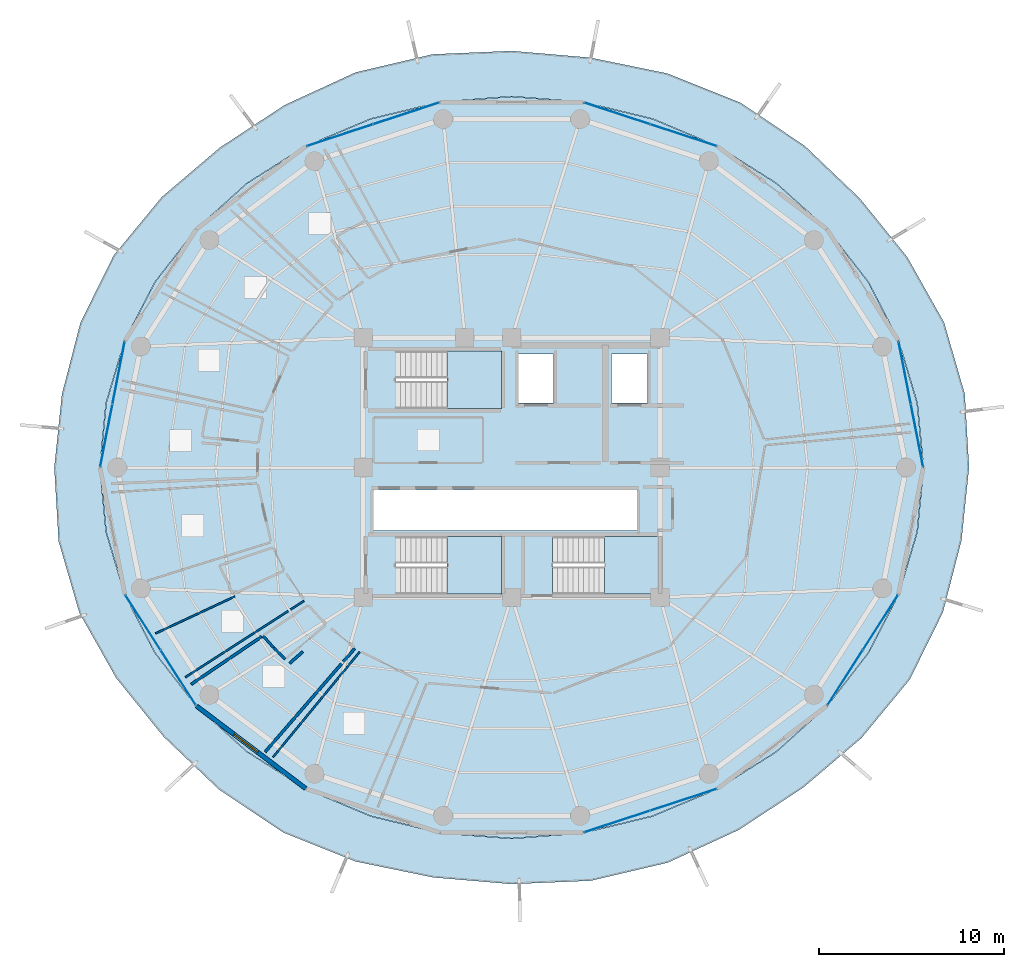
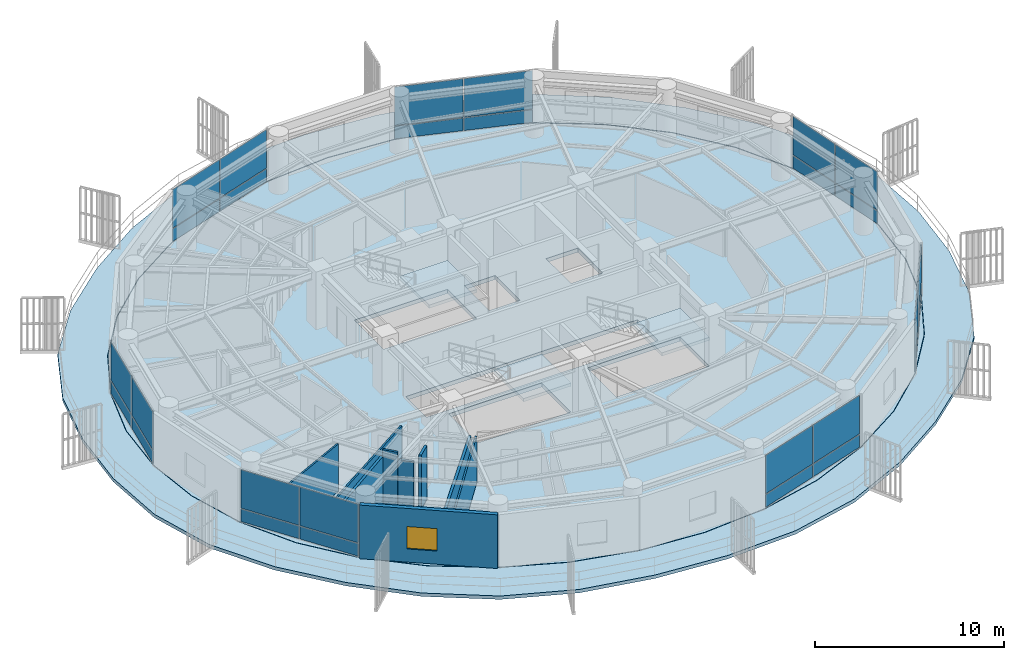
# One storey, part 22 of 30: 28 plates, 9 walls, 5 slabs, 1 window, 1 opening, 10 elements without a shape of their own.
"""IFC4 building model written with IfcOpenShell, lengths in metres."""

from ifc_helpers import new_model, si_unit, direction, frame, frame_2d, origin, origin_2d, place, context, subcontext, project, spatial, polyline, rectangle, outline, extrude, source, transform, mapped, material, layer, layer_set, type_object, element, fill, aggregate, save


model = new_model("IFC4")

# Units and contexts
model_context = context("Model", 3, precision=1e-05, world=origin(), true_north=direction((0.0, 1.0)))
body_context = subcontext(model_context, "Body", "Model", "MODEL_VIEW")
ifc_project = project(units=[si_unit("LENGTHUNIT", "METRE"), si_unit("AREAUNIT", "SQUARE_METRE"), si_unit("VOLUMEUNIT", "CUBIC_METRE"), si_unit("PLANEANGLEUNIT", "RADIAN"), si_unit("MASSUNIT", "GRAM", prefix="KILO")], contexts=[model_context])

# Site, building, storey
site_placement = place(None, origin())
site = spatial("IfcSite", under=ifc_project, at=site_placement, CompositionType="ELEMENT")
building_placement = place(site_placement, origin())
building = spatial("IfcBuilding", under=site, at=building_placement, Name="Kelanora Arch Commons", CompositionType="ELEMENT")
storey_placement = place(building_placement, frame((0.0, 0.0, 234.449951171875)))
storey = spatial("IfcBuildingStorey", under=building, at=storey_placement, Name="L60", CompositionType="ELEMENT", Elevation=234.449951171875)

# Stair, slab
ifc_material_1 = material(Name="Concrete C40/50", Category="concrete")
stair_type = type_object("IfcStairType", Name="STR-DL-375", PredefinedType="HALF_TURN_STAIR", material=ifc_material_1)
stair_1_placement = place(storey_placement, origin())
stair_1 = element("IfcStair", 1, at=stair_1_placement, inside=storey, type_object=stair_type, Name="L60 ST-T1", PredefinedType="HALF_TURN_STAIR")
ifc_layer_1 = layer(ifc_material_1, 0.199951171875)
ifc_layer_set_1 = layer_set([ifc_layer_1], Name="Concrete C40/50")
slab_type_1 = type_object("IfcSlabType", Name="SLB-STAIR-LND", PredefinedType="LANDING", material=ifc_layer_set_1)
slab_1_placement = place(storey_placement, frame((0.0, 0.0, 1.675048828125)))
slab_1 = element("IfcSlab", 2, at=slab_1_placement, type_object=slab_type_1, Name="ST-T1 landing 1", PredefinedType="LANDING", context=body_context, shape_type="SweptSolid", body=[
    extrude(outline(polyline([(70.52001953125, 61.179931640625), (73.43994140625, 61.179931640625), (73.43994140625, 64.2900390625), (70.52001953125, 64.2900390625), (70.52001953125, 61.179931640625)])), origin(), (0.0, 0.0, 1.0), 0.199951171875),
])
aggregate(stair_1, [slab_1])

stair_2_placement = place(storey_placement, origin())
stair_2 = element("IfcStair", 3, at=stair_2_placement, inside=storey, type_object=stair_type, Name="L60 ST-T2", PredefinedType="HALF_TURN_STAIR")
slab_2_placement = place(storey_placement, frame((0.0, 0.0, 1.675048828125)))
slab_2 = element("IfcSlab", 4, at=slab_2_placement, type_object=slab_type_1, Name="ST-T2 landing 1", PredefinedType="LANDING", context=body_context, shape_type="SweptSolid", body=[
    extrude(outline(polyline([(79.0, 51.179931640625), (81.919921875, 51.179931640625), (81.919921875, 54.2900390625), (79.0, 54.2900390625), (79.0, 51.179931640625)])), origin(), (0.0, 0.0, 1.0), 0.199951171875),
])
aggregate(stair_2, [slab_2])

stair_3_placement = place(storey_placement, origin())
stair_3 = element("IfcStair", 5, at=stair_3_placement, inside=storey, type_object=stair_type, Name="L60 ST-T3", PredefinedType="HALF_TURN_STAIR")
slab_3_placement = place(storey_placement, frame((0.0, 0.0, 1.675048828125)))
slab_3 = element("IfcSlab", 6, at=slab_3_placement, type_object=slab_type_1, Name="ST-T3 landing 1", PredefinedType="LANDING", context=body_context, shape_type="SweptSolid", body=[
    extrude(outline(polyline([(70.52001953125, 51.179931640625), (73.43994140625, 51.179931640625), (73.43994140625, 54.2900390625), (70.52001953125, 54.2900390625), (70.52001953125, 51.179931640625)])), origin(), (0.0, 0.0, 1.0), 0.199951171875),
])
aggregate(stair_3, [slab_3])

# Slabs
ifc_layer_2 = layer(ifc_material_1, 0.260009765625)
ifc_layer_set_2 = layer_set([ifc_layer_2], Name="Concrete C40/50")
slab_type_2 = type_object("IfcSlabType", Name="SLB-TWR-TYP", PredefinedType="FLOOR", material=ifc_layer_set_2)
slab_4_placement = place(storey_placement, frame((0.0, 0.0, -0.260009765625)))
element("IfcSlab", 7, at=slab_4_placement, inside=storey, type_object=slab_type_2, Name="Tower Floor Slab L60", PredefinedType="FLOOR", context=body_context, shape_type="SweptSolid", body=[
    extrude(outline(polyline([(96.199951171875, 58.0), (95.86279296875, 61.472900390625), (94.861083984375, 64.84033203125), (93.225830078125, 68.0), (91.006103515625, 70.855712890625), (88.27001953125, 73.32080078125), (85.10009765625, 75.320556640625), (81.5927734375, 76.7939453125), (77.85498046875, 77.6962890625), (74.0, 78.0), (70.14501953125, 77.6962890625), (66.4072265625, 76.7939453125), (62.89990234375, 75.320556640625), (59.72998046875, 73.32080078125), (56.993896484375, 70.855712890625), (54.774169921875, 68.0), (53.138916015625, 64.84033203125), (52.13720703125, 61.472900390625), (51.800048828125, 58.0), (52.13720703125, 54.527099609375), (53.138916015625, 51.15966796875), (54.774169921875, 48.0), (56.993896484375, 45.144287109375), (59.72998046875, 42.67919921875), (62.89990234375, 40.679443359375), (66.4072265625, 39.2060546875), (70.14501953125, 38.3037109375), (74.0, 38.0), (77.85498046875, 38.3037109375), (81.5927734375, 39.2060546875), (85.10009765625, 40.679443359375), (88.27001953125, 42.67919921875), (91.006103515625, 45.144287109375), (93.225830078125, 48.0), (94.861083984375, 51.15966796875), (95.86279296875, 54.527099609375), (96.199951171875, 58.0)]), holes=[polyline([(73.431884765625, 51.18798828125), (67.72802734375, 51.18798828125), (67.72802734375, 54.281982421875), (73.431884765625, 54.281982421875), (73.431884765625, 51.18798828125)]), polyline([(76.2080078125, 51.18798828125), (76.2080078125, 54.281982421875), (81.912109375, 54.281982421875), (81.912109375, 51.18798828125), (76.2080078125, 51.18798828125)]), polyline([(66.550048828125, 54.60009765625), (66.550048828125, 56.800048828125), (80.75, 56.800048828125), (80.75, 54.60009765625), (66.550048828125, 54.60009765625)]), polyline([(73.431884765625, 61.18798828125), (67.72802734375, 61.18798828125), (67.72802734375, 64.281982421875), (73.431884765625, 64.281982421875), (73.431884765625, 61.18798828125)]), polyline([(74.3798828125, 61.47998046875), (74.3798828125, 64.1201171875), (76.260009765625, 64.1201171875), (76.260009765625, 61.47998046875), (74.3798828125, 61.47998046875)]), polyline([(79.3798828125, 61.47998046875), (79.3798828125, 64.1201171875), (81.320068359375, 64.1201171875), (81.320068359375, 61.47998046875), (79.3798828125, 61.47998046875)])]), origin(), (0.0, 0.0, 1.0), 0.260009765625),
])
ifc_layer_3 = layer(ifc_material_1, 0.219970703125)
ifc_layer_set_3 = layer_set([ifc_layer_3], Name="Concrete C40/50")
slab_type_3 = type_object("IfcSlabType", Name="SLB-WAVE-BAL", PredefinedType="FLOOR", material=ifc_layer_set_3)
slab_5_placement = place(storey_placement, frame((0.0, 0.0, -0.219970703125)))
element("IfcSlab", 8, at=slab_5_placement, inside=storey, type_object=slab_type_3, Name="Sinusoidal Wave Balcony Slab L60", PredefinedType="FLOOR", context=body_context, shape_type="SweptSolid", body=[
    extrude(outline(polyline([(98.667724609375, 58.0), (98.435791015625, 61.9765625), (97.317138671875, 65.83251953125), (95.333740234375, 69.35107421875), (92.781982421875, 72.509765625), (89.804443359375, 75.35107421875), (86.328857421875, 77.68310546875), (82.398681640625, 79.2509765625), (78.23779296875, 80.10693359375), (74.0, 80.4677734375), (69.733642578125, 80.28564453125), (65.581787109375, 79.310791015625), (61.74462890625, 77.541748046875), (58.2666015625, 75.256591796875), (55.131591796875, 72.590087890625), (52.531982421875, 69.43701171875), (50.7412109375, 65.80908203125), (49.74169921875, 61.94189453125), (49.332275390625, 58.0), (49.564208984375, 54.0234375), (50.682861328125, 50.16748046875), (52.666259765625, 46.64892578125), (55.218017578125, 43.490234375), (58.195556640625, 40.64892578125), (61.671142578125, 38.31689453125), (65.601318359375, 36.7490234375), (69.76220703125, 35.89306640625), (74.0, 35.5322265625), (78.266357421875, 35.71435546875), (82.418212890625, 36.689208984375), (86.25537109375, 38.458251953125), (89.7333984375, 40.743408203125), (92.868408203125, 43.409912109375), (95.468017578125, 46.56298828125), (97.2587890625, 50.19091796875), (98.25830078125, 54.05810546875), (98.667724609375, 58.0)]), holes=[polyline([(95.88232421875, 54.523681640625), (94.8798828125, 51.15283203125), (93.2431640625, 47.989990234375), (91.021484375, 45.13134765625), (88.28271484375, 42.663818359375), (85.110107421875, 40.662109375), (81.599609375, 39.1875), (77.8583984375, 38.2841796875), (74.0, 37.97998046875), (70.1416015625, 38.2841796875), (66.400390625, 39.1875), (62.889892578125, 40.662109375), (59.71728515625, 42.663818359375), (56.978515625, 45.13134765625), (54.7568359375, 47.989990234375), (53.1201171875, 51.15283203125), (52.11767578125, 54.523681640625), (51.780029296875, 58.0), (52.11767578125, 61.476318359375), (53.1201171875, 64.84716796875), (54.7568359375, 68.010009765625), (56.978515625, 70.86865234375), (59.71728515625, 73.336181640625), (62.889892578125, 75.337890625), (66.400390625, 76.8125), (70.1416015625, 77.7158203125), (74.0, 78.02001953125), (77.8583984375, 77.7158203125), (81.599609375, 76.8125), (85.110107421875, 75.337890625), (88.28271484375, 73.336181640625), (91.021484375, 70.86865234375), (93.2431640625, 68.010009765625), (94.8798828125, 64.84716796875), (95.88232421875, 61.476318359375), (96.219970703125, 58.0), (95.88232421875, 54.523681640625)])]), origin(), (0.0, 0.0, 1.0), 0.219970703125),
])

# Curtain wall, plates
ifc_material_2 = material(Name="Terracotta ceramic-fritted low-E glass and aluminium", Category="masonry")
ifc_layer_4 = layer(ifc_material_2, 0.175048828125)
ifc_layer_set_4 = layer_set([ifc_layer_4], Name="Terracotta ceramic-fritted low-E glass and aluminium")
curtain_wall_type = type_object("IfcCurtainWallType", Name="CW-SYS-02", PredefinedType="NOTDEFINED", material=ifc_layer_set_4)
curtain_wall_1_placement = place(storey_placement, origin())
curtain_wall_1 = element("IfcCurtainWall", 9, at=curtain_wall_1_placement, inside=storey, type_object=curtain_wall_type, Name="Unitised Curtain Wall L60-B00", PredefinedType="NOTDEFINED")
ifc_material_3 = material(Name="Terracotta ceramic-fritted double glazing", Category="masonry")
ifc_layer_5 = layer(ifc_material_3, 0.028076171875)
ifc_layer_set_5 = layer_set([ifc_layer_5], Name="Terracotta ceramic-fritted double glazing")
plate_type = type_object("IfcPlateType", Name="CWP-FRIT", PredefinedType="CURTAIN_PANEL", material=ifc_layer_set_5)
shared_shape_1 = source(origin(), body_context, "Body", "SweptSolid", [
    extrude(rectangle(XDim=3.380126953125, YDim=0.028076171875, at=origin_2d()), origin(), (0.0, 0.0, 1.0), 0.81005859375),
])
plate_1_placement = place(storey_placement, frame((95.861083984375, 59.732177734375, 0.06005859375), z_axis=(0.0, 0.0, 1.0), x_axis=(-0.192068926335, 0.981381438349, 0.0)))
plate_1 = element("IfcPlate", 10, at=plate_1_placement, type_object=plate_type, Name="CW-02 panel 1.1", PredefinedType="CURTAIN_PANEL", context=body_context, shape_type="MappedRepresentation", body=[
    mapped(shared_shape_1, transform((0.0, 0.0, 0.0), scale=1.0)),
])
plate_2_placement = place(storey_placement, frame((95.2001953125, 63.108154296875, 0.06005859375), z_axis=(0.0, 0.0, 1.0), x_axis=(-0.192068926335, 0.981381438349, 0.0)))
plate_2 = element("IfcPlate", 11, at=plate_2_placement, type_object=plate_type, Name="CW-02 panel 2.1", PredefinedType="CURTAIN_PANEL", context=body_context, shape_type="MappedRepresentation", body=[
    mapped(shared_shape_1, transform((0.0, 0.0, 0.0), scale=1.0)),
])

curtain_wall_2_placement = place(storey_placement, origin())
curtain_wall_2 = element("IfcCurtainWall", 12, at=curtain_wall_2_placement, inside=storey, type_object=curtain_wall_type, Name="Unitised Curtain Wall L60-B08", PredefinedType="NOTDEFINED")
plate_3_placement = place(storey_placement, frame((52.7998046875, 63.108154296875, 0.06005859375), z_axis=(0.0, 0.0, 1.0), x_axis=(-0.192068926335, -0.981381438349, 0.0)))
plate_3 = element("IfcPlate", 13, at=plate_3_placement, type_object=plate_type, Name="CW-02 panel 1.1", PredefinedType="CURTAIN_PANEL", context=body_context, shape_type="MappedRepresentation", body=[
    mapped(shared_shape_1, transform((0.0, 0.0, 0.0), scale=1.0)),
])
plate_4_placement = place(storey_placement, frame((52.138916015625, 59.732177734375, 0.06005859375), z_axis=(0.0, 0.0, 1.0), x_axis=(-0.192068926335, -0.981381438349, 0.0)))
plate_4 = element("IfcPlate", 14, at=plate_4_placement, type_object=plate_type, Name="CW-02 panel 2.1", PredefinedType="CURTAIN_PANEL", context=body_context, shape_type="MappedRepresentation", body=[
    mapped(shared_shape_1, transform((0.0, 0.0, 0.0), scale=1.0)),
])

# Plate
shared_shape_2 = source(origin(), body_context, "Body", "SweptSolid", [
    extrude(rectangle(XDim=3.380126953125, YDim=0.028076171875, at=origin_2d()), origin(), (0.0, 0.0, 1.0), 2.485107421875),
])
plate_5_placement = place(storey_placement, frame((95.861083984375, 59.732177734375, 0.93017578125), z_axis=(0.0, 0.0, 1.0), x_axis=(-0.192068926335, 0.981381438349, 0.0)))
plate_5 = element("IfcPlate", 15, at=plate_5_placement, type_object=plate_type, Name="CW-02 panel 1.2", PredefinedType="CURTAIN_PANEL", context=body_context, shape_type="MappedRepresentation", body=[
    mapped(shared_shape_2, transform((0.0, 0.0, 0.0), scale=1.0)),
])

plate_6_placement = place(storey_placement, frame((95.2001953125, 63.108154296875, 0.93017578125), z_axis=(0.0, 0.0, 1.0), x_axis=(-0.192068926335, 0.981381438349, 0.0)))
plate_6 = element("IfcPlate", 16, at=plate_6_placement, type_object=plate_type, Name="CW-02 panel 2.2", PredefinedType="CURTAIN_PANEL", context=body_context, shape_type="MappedRepresentation", body=[
    mapped(shared_shape_2, transform((0.0, 0.0, 0.0), scale=1.0)),
])

aggregate(curtain_wall_1, [plate_1, plate_5, plate_2, plate_6])

plate_7_placement = place(storey_placement, frame((52.7998046875, 63.108154296875, 0.93017578125), z_axis=(0.0, 0.0, 1.0), x_axis=(-0.192068926335, -0.981381438349, 0.0)))
plate_7 = element("IfcPlate", 17, at=plate_7_placement, type_object=plate_type, Name="CW-02 panel 1.2", PredefinedType="CURTAIN_PANEL", context=body_context, shape_type="MappedRepresentation", body=[
    mapped(shared_shape_2, transform((0.0, 0.0, 0.0), scale=1.0)),
])

plate_8_placement = place(storey_placement, frame((52.138916015625, 59.732177734375, 0.93017578125), z_axis=(0.0, 0.0, 1.0), x_axis=(-0.192068926335, -0.981381438349, 0.0)))
plate_8 = element("IfcPlate", 18, at=plate_8_placement, type_object=plate_type, Name="CW-02 panel 2.2", PredefinedType="CURTAIN_PANEL", context=body_context, shape_type="MappedRepresentation", body=[
    mapped(shared_shape_2, transform((0.0, 0.0, 0.0), scale=1.0)),
])

aggregate(curtain_wall_2, [plate_3, plate_7, plate_4, plate_8])

# Curtain wall, plates
curtain_wall_3_placement = place(storey_placement, origin())
curtain_wall_3 = element("IfcCurtainWall", 19, at=curtain_wall_3_placement, inside=storey, type_object=curtain_wall_type, Name="Unitised Curtain Wall L60-B03", PredefinedType="NOTDEFINED")
shared_shape_3 = source(origin(), body_context, "Body", "SweptSolid", [
    extrude(rectangle(XDim=3.707275390625, YDim=0.028076171875, at=origin_2d()), origin(), (0.0, 0.0, 1.0), 0.81005859375),
])
plate_9_placement = place(storey_placement, frame((83.267333984375, 75.92138671875, 0.06005859375), z_axis=(0.0, 0.0, 1.0), x_axis=(-0.950219124029, 0.311582439059, 0.0)))
plate_9 = element("IfcPlate", 20, at=plate_9_placement, type_object=plate_type, Name="CW-02 panel 1.1", PredefinedType="CURTAIN_PANEL", context=body_context, shape_type="MappedRepresentation", body=[
    mapped(shared_shape_3, transform((0.0, 0.0, 0.0), scale=1.0)),
])
plate_10_placement = place(storey_placement, frame((79.687744140625, 77.09521484375, 0.06005859375), z_axis=(0.0, 0.0, 1.0), x_axis=(-0.950219124029, 0.311582439059, 0.0)))
plate_10 = element("IfcPlate", 21, at=plate_10_placement, type_object=plate_type, Name="CW-02 panel 2.1", PredefinedType="CURTAIN_PANEL", context=body_context, shape_type="MappedRepresentation", body=[
    mapped(shared_shape_3, transform((0.0, 0.0, 0.0), scale=1.0)),
])

curtain_wall_4_placement = place(storey_placement, origin())
curtain_wall_4 = element("IfcCurtainWall", 22, at=curtain_wall_4_placement, inside=storey, type_object=curtain_wall_type, Name="Unitised Curtain Wall L60-B05", PredefinedType="NOTDEFINED")
plate_11_placement = place(storey_placement, frame((68.312255859375, 77.09521484375, 0.06005859375), z_axis=(0.0, 0.0, 1.0), x_axis=(-0.950219124029, -0.311582439059, 0.0)))
plate_11 = element("IfcPlate", 23, at=plate_11_placement, type_object=plate_type, Name="CW-02 panel 1.1", PredefinedType="CURTAIN_PANEL", context=body_context, shape_type="MappedRepresentation", body=[
    mapped(shared_shape_3, transform((0.0, 0.0, 0.0), scale=1.0)),
])
plate_12_placement = place(storey_placement, frame((64.732666015625, 75.92138671875, 0.06005859375), z_axis=(0.0, 0.0, 1.0), x_axis=(-0.950219124029, -0.311582439059, 0.0)))
plate_12 = element("IfcPlate", 24, at=plate_12_placement, type_object=plate_type, Name="CW-02 panel 2.1", PredefinedType="CURTAIN_PANEL", context=body_context, shape_type="MappedRepresentation", body=[
    mapped(shared_shape_3, transform((0.0, 0.0, 0.0), scale=1.0)),
])

curtain_wall_5_placement = place(storey_placement, origin())
curtain_wall_5 = element("IfcCurtainWall", 25, at=curtain_wall_5_placement, inside=storey, type_object=curtain_wall_type, Name="Unitised Curtain Wall L60-B14", PredefinedType="NOTDEFINED")
plate_13_placement = place(storey_placement, frame((79.687744140625, 38.90478515625, 0.06005859375), z_axis=(0.0, 0.0, 1.0), x_axis=(0.950219124029, 0.311582439059, 0.0)))
plate_13 = element("IfcPlate", 26, at=plate_13_placement, type_object=plate_type, Name="CW-02 panel 1.1", PredefinedType="CURTAIN_PANEL", context=body_context, shape_type="MappedRepresentation", body=[
    mapped(shared_shape_3, transform((0.0, 0.0, 0.0), scale=1.0)),
])
plate_14_placement = place(storey_placement, frame((83.267333984375, 40.07861328125, 0.06005859375), z_axis=(0.0, 0.0, 1.0), x_axis=(0.950219124029, 0.311582439059, 0.0)))
plate_14 = element("IfcPlate", 27, at=plate_14_placement, type_object=plate_type, Name="CW-02 panel 2.1", PredefinedType="CURTAIN_PANEL", context=body_context, shape_type="MappedRepresentation", body=[
    mapped(shared_shape_3, transform((0.0, 0.0, 0.0), scale=1.0)),
])

# Plate
shared_shape_4 = source(origin(), body_context, "Body", "SweptSolid", [
    extrude(rectangle(XDim=3.707275390625, YDim=0.028076171875, at=origin_2d()), origin(), (0.0, 0.0, 1.0), 2.485107421875),
])
plate_15_placement = place(storey_placement, frame((83.267333984375, 75.92138671875, 0.93017578125), z_axis=(0.0, 0.0, 1.0), x_axis=(-0.950219124029, 0.311582439059, 0.0)))
plate_15 = element("IfcPlate", 28, at=plate_15_placement, type_object=plate_type, Name="CW-02 panel 1.2", PredefinedType="CURTAIN_PANEL", context=body_context, shape_type="MappedRepresentation", body=[
    mapped(shared_shape_4, transform((0.0, 0.0, 0.0), scale=1.0)),
])

plate_16_placement = place(storey_placement, frame((79.687744140625, 77.09521484375, 0.93017578125), z_axis=(0.0, 0.0, 1.0), x_axis=(-0.950219124029, 0.311582439059, 0.0)))
plate_16 = element("IfcPlate", 29, at=plate_16_placement, type_object=plate_type, Name="CW-02 panel 2.2", PredefinedType="CURTAIN_PANEL", context=body_context, shape_type="MappedRepresentation", body=[
    mapped(shared_shape_4, transform((0.0, 0.0, 0.0), scale=1.0)),
])

aggregate(curtain_wall_3, [plate_9, plate_15, plate_10, plate_16])

plate_17_placement = place(storey_placement, frame((68.312255859375, 77.09521484375, 0.93017578125), z_axis=(0.0, 0.0, 1.0), x_axis=(-0.950219124029, -0.311582439059, 0.0)))
plate_17 = element("IfcPlate", 30, at=plate_17_placement, type_object=plate_type, Name="CW-02 panel 1.2", PredefinedType="CURTAIN_PANEL", context=body_context, shape_type="MappedRepresentation", body=[
    mapped(shared_shape_4, transform((0.0, 0.0, 0.0), scale=1.0)),
])

plate_18_placement = place(storey_placement, frame((64.732666015625, 75.92138671875, 0.93017578125), z_axis=(0.0, 0.0, 1.0), x_axis=(-0.950219124029, -0.311582439059, 0.0)))
plate_18 = element("IfcPlate", 31, at=plate_18_placement, type_object=plate_type, Name="CW-02 panel 2.2", PredefinedType="CURTAIN_PANEL", context=body_context, shape_type="MappedRepresentation", body=[
    mapped(shared_shape_4, transform((0.0, 0.0, 0.0), scale=1.0)),
])

aggregate(curtain_wall_4, [plate_11, plate_17, plate_12, plate_18])

plate_19_placement = place(storey_placement, frame((79.687744140625, 38.90478515625, 0.93017578125), z_axis=(0.0, 0.0, 1.0), x_axis=(0.950219124029, 0.311582439059, 0.0)))
plate_19 = element("IfcPlate", 32, at=plate_19_placement, type_object=plate_type, Name="CW-02 panel 1.2", PredefinedType="CURTAIN_PANEL", context=body_context, shape_type="MappedRepresentation", body=[
    mapped(shared_shape_4, transform((0.0, 0.0, 0.0), scale=1.0)),
])

plate_20_placement = place(storey_placement, frame((83.267333984375, 40.07861328125, 0.93017578125), z_axis=(0.0, 0.0, 1.0), x_axis=(0.950219124029, 0.311582439059, 0.0)))
plate_20 = element("IfcPlate", 33, at=plate_20_placement, type_object=plate_type, Name="CW-02 panel 2.2", PredefinedType="CURTAIN_PANEL", context=body_context, shape_type="MappedRepresentation", body=[
    mapped(shared_shape_4, transform((0.0, 0.0, 0.0), scale=1.0)),
])

aggregate(curtain_wall_5, [plate_13, plate_19, plate_14, plate_20])

# Curtain wall, plates
curtain_wall_6_placement = place(storey_placement, origin())
curtain_wall_6 = element("IfcCurtainWall", 34, at=curtain_wall_6_placement, inside=storey, type_object=curtain_wall_type, Name="Unitised Curtain Wall L60-B10", PredefinedType="NOTDEFINED")
shared_shape_5 = source(origin(), body_context, "Body", "SweptSolid", [
    extrude(rectangle(XDim=3.46728515625, YDim=0.028076171875, at=origin_2d()), origin(), (0.0, 0.0, 1.0), 0.81005859375),
])
plate_21_placement = place(storey_placement, frame((54.11474609375, 49.63671875, 0.06005859375), z_axis=(0.0, 0.0, 1.0), x_axis=(0.539559338994, -0.84194757539, 0.0)))
plate_21 = element("IfcPlate", 35, at=plate_21_placement, type_object=plate_type, Name="CW-02 panel 1.1", PredefinedType="CURTAIN_PANEL", context=body_context, shape_type="MappedRepresentation", body=[
    mapped(shared_shape_5, transform((0.0, 0.0, 0.0), scale=1.0)),
])
plate_22_placement = place(storey_placement, frame((56.017822265625, 46.6669921875, 0.06005859375), z_axis=(0.0, 0.0, 1.0), x_axis=(0.539559338994, -0.84194757539, 0.0)))
plate_22 = element("IfcPlate", 36, at=plate_22_placement, type_object=plate_type, Name="CW-02 panel 2.1", PredefinedType="CURTAIN_PANEL", context=body_context, shape_type="MappedRepresentation", body=[
    mapped(shared_shape_5, transform((0.0, 0.0, 0.0), scale=1.0)),
])

curtain_wall_7_placement = place(storey_placement, origin())
curtain_wall_7 = element("IfcCurtainWall", 37, at=curtain_wall_7_placement, inside=storey, type_object=curtain_wall_type, Name="Unitised Curtain Wall L60-B16", PredefinedType="NOTDEFINED")
plate_23_placement = place(storey_placement, frame((91.982177734375, 46.6669921875, 0.06005859375), z_axis=(0.0, 0.0, 1.0), x_axis=(0.539559338994, 0.84194757539, 0.0)))
plate_23 = element("IfcPlate", 38, at=plate_23_placement, type_object=plate_type, Name="CW-02 panel 1.1", PredefinedType="CURTAIN_PANEL", context=body_context, shape_type="MappedRepresentation", body=[
    mapped(shared_shape_5, transform((0.0, 0.0, 0.0), scale=1.0)),
])
plate_24_placement = place(storey_placement, frame((93.88525390625, 49.63671875, 0.06005859375), z_axis=(0.0, 0.0, 1.0), x_axis=(0.539559338994, 0.84194757539, 0.0)))
plate_24 = element("IfcPlate", 39, at=plate_24_placement, type_object=plate_type, Name="CW-02 panel 2.1", PredefinedType="CURTAIN_PANEL", context=body_context, shape_type="MappedRepresentation", body=[
    mapped(shared_shape_5, transform((0.0, 0.0, 0.0), scale=1.0)),
])

# Plate
shared_shape_6 = source(origin(), body_context, "Body", "SweptSolid", [
    extrude(rectangle(XDim=3.46728515625, YDim=0.028076171875, at=origin_2d()), origin(), (0.0, 0.0, 1.0), 2.485107421875),
])
plate_25_placement = place(storey_placement, frame((54.11474609375, 49.63671875, 0.93017578125), z_axis=(0.0, 0.0, 1.0), x_axis=(0.539559338994, -0.84194757539, 0.0)))
plate_25 = element("IfcPlate", 40, at=plate_25_placement, type_object=plate_type, Name="CW-02 panel 1.2", PredefinedType="CURTAIN_PANEL", context=body_context, shape_type="MappedRepresentation", body=[
    mapped(shared_shape_6, transform((0.0, 0.0, 0.0), scale=1.0)),
])

plate_26_placement = place(storey_placement, frame((56.017822265625, 46.6669921875, 0.93017578125), z_axis=(0.0, 0.0, 1.0), x_axis=(0.539559338994, -0.84194757539, 0.0)))
plate_26 = element("IfcPlate", 41, at=plate_26_placement, type_object=plate_type, Name="CW-02 panel 2.2", PredefinedType="CURTAIN_PANEL", context=body_context, shape_type="MappedRepresentation", body=[
    mapped(shared_shape_6, transform((0.0, 0.0, 0.0), scale=1.0)),
])

aggregate(curtain_wall_6, [plate_21, plate_25, plate_22, plate_26])

plate_27_placement = place(storey_placement, frame((91.982177734375, 46.6669921875, 0.93017578125), z_axis=(0.0, 0.0, 1.0), x_axis=(0.539559338994, 0.84194757539, 0.0)))
plate_27 = element("IfcPlate", 42, at=plate_27_placement, type_object=plate_type, Name="CW-02 panel 1.2", PredefinedType="CURTAIN_PANEL", context=body_context, shape_type="MappedRepresentation", body=[
    mapped(shared_shape_6, transform((0.0, 0.0, 0.0), scale=1.0)),
])

plate_28_placement = place(storey_placement, frame((93.88525390625, 49.63671875, 0.93017578125), z_axis=(0.0, 0.0, 1.0), x_axis=(0.539559338994, 0.84194757539, 0.0)))
plate_28 = element("IfcPlate", 43, at=plate_28_placement, type_object=plate_type, Name="CW-02 panel 2.2", PredefinedType="CURTAIN_PANEL", context=body_context, shape_type="MappedRepresentation", body=[
    mapped(shared_shape_6, transform((0.0, 0.0, 0.0), scale=1.0)),
])

aggregate(curtain_wall_7, [plate_23, plate_27, plate_24, plate_28])

# Walls
ifc_material_4 = material(Name="Autoclaved aerated concrete blockwork with fire plaster", Category="masonry")
ifc_layer_6 = layer(ifc_material_4, 0.14990234375)
ifc_layer_set_6 = layer_set([ifc_layer_6], Name="Autoclaved aerated concrete blockwork with fire plaster")
wall_type_1 = type_object("IfcWallType", Name="W-COMP-150", PredefinedType="PARTITIONING", material=ifc_layer_set_6)
wall_1_placement = place(storey_placement, frame((65.537841796875, 48.24169921875, 0.0), z_axis=(0.0, 0.0, 1.0), x_axis=(-0.654642167947, -0.755938907549, 0.0)))
element("IfcWall", 44, at=wall_1_placement, inside=storey, type_object=wall_type_1, Name="Co-Living Studio L60-07 Enclosure Partition 2", PredefinedType="PARTITIONING", context=body_context, shape_type="SweptSolid", body=[
    extrude(rectangle(XDim=7.38232421875, YDim=0.14990234375, at=frame_2d((3.691162109375, 0.0))), origin(), (0.0, 0.0, 1.0), 3.025146484375),
])
wall_2_placement = place(storey_placement, frame((56.713134765625, 46.305419921875, 0.0), z_axis=(0.0, 0.0, 1.0), x_axis=(0.828059419786, 0.560640345768, 0.0)))
element("IfcWall", 45, at=wall_2_placement, inside=storey, type_object=wall_type_1, Name="Co-Living Studio L60-07 Enclosure Partition 5", PredefinedType="PARTITIONING", context=body_context, shape_type="SweptSolid", body=[
    extrude(rectangle(XDim=4.5986328125, YDim=0.14990234375, at=frame_2d((2.29931640625, 0.0))), origin(), (0.0, 0.0, 1.0), 3.074951171875),
])
wall_3_placement = place(storey_placement, frame((62.02001953125, 47.4345703125, 0.0), z_axis=(0.0, 0.0, 1.0), x_axis=(0.749645272156, 0.661839834049, 0.0)))
element("IfcWall", 46, at=wall_3_placement, inside=storey, type_object=wall_type_1, Name="Co-Living Studio L60-07 Enclosure Partition 7", PredefinedType="PARTITIONING", context=body_context, shape_type="SweptSolid", body=[
    extrude(rectangle(XDim=0.962158203125, YDim=0.14990234375, at=frame_2d((0.48095703125, 0.0))), origin(), (0.0, 0.0, 1.0), 3.47998046875),
])

# Wall, opening, window
ifc_material_5 = material(Name="Precast concrete C40/50 upper-zone terracotta rainscreen", Category="masonry")
ifc_layer_7 = layer(ifc_material_5, 0.239990234375)
ifc_layer_set_7 = layer_set([ifc_layer_7], Name="Precast concrete C40/50 upper-zone terracotta rainscreen")
wall_type_2 = type_object("IfcWallType", Name="W-EXT-TC2", PredefinedType="SOLIDWALL", material=ifc_layer_set_7)
wall_4_placement = place(storey_placement, frame((57.005859375, 45.13525390625, 0.0), z_axis=(0.0, 0.0, 1.0), x_axis=(0.797701674595, -0.603052268338, 0.0)))
wall_4 = element("IfcWall", 47, at=wall_4_placement, inside=storey, type_object=wall_type_2, Name="Terracotta Exterior Wall L60-B11", PredefinedType="SOLIDWALL", context=body_context, shape_type="SweptSolid", body=[
    extrude(rectangle(XDim=7.373779296875, YDim=0.239990234375, at=frame_2d((3.68701171875, 0.0))), origin(), (0.0, 0.0, 1.0), 3.47509765625),
])
opening_placement = place(wall_4_placement, frame((2.527099609375, 0.0, 0.85009765625)))
opening = element("IfcOpeningElement", 48, at=opening_placement, cuts=wall_4, Name="Opening WN-01", PredefinedType="OPENING", context=body_context, shape_type="SweptSolid", body=[
    extrude(rectangle(XDim=1.60009765625, YDim=1.449951171875, at=frame_2d((0.800048828125, 0.72509765625))), frame((0.0, 0.1298828125, 0.0), z_axis=(0.0, -1.0, 0.0), x_axis=(1.0, 0.0, 0.0)), (0.0, 0.0, 1.0), 0.260009765625),
])
ifc_material_6 = material(Name="Terracotta-anodised aluminium frame with operable low-E glazing", Category="masonry")
window_type = type_object("IfcWindowType", Name="WIN-CL-18", PartitioningType="DOUBLE_PANEL_VERTICAL", PredefinedType="WINDOW", material=ifc_material_6)
window_placement = place(opening_placement, origin())
window = element("IfcWindow", 49, at=window_placement, inside=storey, type_object=window_type, Name="Co-Living Operable Window L60-B11", OverallHeight=1.449951171875, OverallWidth=1.60009765625, PartitioningType="SINGLE_PANEL", PredefinedType="WINDOW", context=body_context, shape_type="SweptSolid", body=[
    extrude(rectangle(XDim=1.60009765625, YDim=1.449951171875, at=frame_2d((0.800048828125, 0.72509765625))), frame((0.0, 0.030029296875, 0.0), z_axis=(0.0, -1.0, 0.0), x_axis=(1.0, 0.0, 0.0)), (0.0, 0.0, 1.0), 0.06005859375),
])
fill(opening, window)

# Walls
ifc_material_7 = material(Name="Lightweight fire-rated acoustic stud partition")
ifc_layer_8 = layer(ifc_material_7, 0.10009765625)
ifc_layer_set_8 = layer_set([ifc_layer_8], Name="Lightweight fire-rated acoustic stud partition")
wall_type_3 = type_object("IfcWallType", Name="W-PART-100", PredefinedType="PARTITIONING", material=ifc_layer_set_8)
wall_5_placement = place(storey_placement, frame((62.79931640625, 50.805419921875, 0.0), z_axis=(0.0, 0.0, 1.0), x_axis=(-0.841021030646, -0.541002426992, 0.0)))
element("IfcWall", 50, at=wall_5_placement, inside=storey, type_object=wall_type_3, Name="Tutorial Study Alcove L60-06 Enclosure Partition 2", PredefinedType="PARTITIONING", context=body_context, shape_type="SweptSolid", body=[
    extrude(rectangle(XDim=7.609375, YDim=0.10009765625, at=frame_2d((3.8046875, 0.0))), origin(), (0.0, 0.0, 1.0), 3.074951171875),
])
wall_6_placement = place(storey_placement, frame((54.790283203125, 49.048828125, 0.0), z_axis=(0.0, 0.0, 1.0), x_axis=(0.906304818196, 0.422624628381, 0.0)))
element("IfcWall", 51, at=wall_6_placement, inside=storey, type_object=wall_type_3, Name="Tutorial Study Alcove L60-06 Enclosure Partition 4", PredefinedType="PARTITIONING", context=body_context, shape_type="SweptSolid", body=[
    extrude(rectangle(XDim=4.71435546875, YDim=0.10009765625, at=frame_2d((2.357177734375, 0.0))), origin(), (0.0, 0.0, 1.0), 3.074951171875),
])
wall_7_placement = place(storey_placement, frame((61.12548828125, 42.373779296875, 0.0), z_axis=(0.0, 0.0, 1.0), x_axis=(0.635558493253, 0.772052719478, 0.0)))
element("IfcWall", 52, at=wall_7_placement, inside=storey, type_object=wall_type_3, Name="Quiet Seminar Study Room L60-08 Enclosure Partition 4", PredefinedType="PARTITIONING", context=body_context, shape_type="SweptSolid", body=[
    extrude(rectangle(XDim=7.36376953125, YDim=0.10009765625, at=frame_2d((3.681884765625, 0.0))), origin(), (0.0, 0.0, 1.0), 3.025146484375),
])
ifc_material_8 = material(Name="Moisture-resistant fire-rated cement-board plumbing wall")
ifc_layer_9 = layer(ifc_material_8, 0.1298828125)
ifc_layer_set_9 = layer_set([ifc_layer_9], Name="Moisture-resistant fire-rated cement-board plumbing wall")
wall_type_4 = type_object("IfcWallType", Name="W-WET-120", PredefinedType="PLUMBINGWALL", material=ifc_layer_set_9)
wall_8_placement = place(storey_placement, frame((61.77099609375, 47.668212890625, 0.0), z_axis=(0.0, 0.0, 1.0), x_axis=(-0.704918740806, 0.709288071844, 0.0)))
element("IfcWall", 53, at=wall_8_placement, inside=storey, type_object=wall_type_4, Name="En-Suite Shower WC L60-07 Enclosure Partition 4", PredefinedType="PLUMBINGWALL", context=body_context, shape_type="SweptSolid", body=[
    extrude(rectangle(XDim=0.838134765625, YDim=0.1298828125, at=frame_2d((0.4189453125, 0.0))), origin(), (0.0, 0.0, 1.0), 3.025146484375),
])
wall_9_placement = place(storey_placement, frame((61.152587890625, 48.2919921875, 0.0), z_axis=(0.0, 0.0, 1.0), x_axis=(-0.663963631636, 0.747764866696, 0.0)))
element("IfcWall", 54, at=wall_9_placement, inside=storey, type_object=wall_type_4, Name="En-Suite Shower WC L60-07 Enclosure Partition 5", PredefinedType="PLUMBINGWALL", context=body_context, shape_type="SweptSolid", body=[
    extrude(rectangle(XDim=0.833251953125, YDim=0.1298828125, at=frame_2d((0.41650390625, 0.0))), origin(), (0.0, 0.0, 1.0), 3.47998046875),
])

save(model, "model.ifc")
